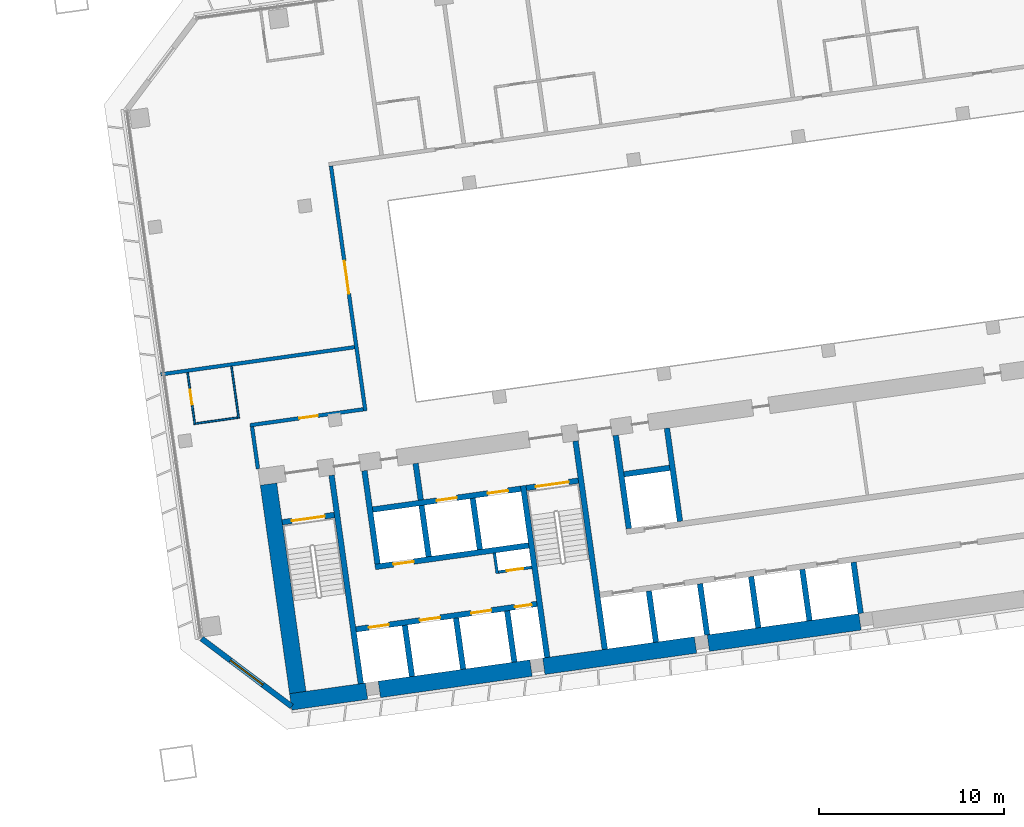
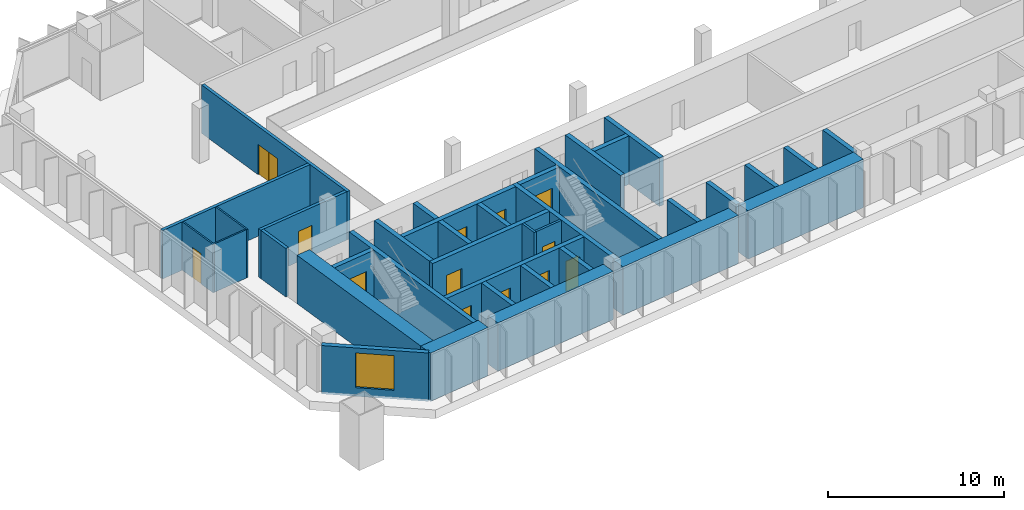
# One storey, part 18 of 24: 38 walls, 13 doors, 1 window, 14 openings.
"""IFC4 building model written with IfcOpenShell, lengths in metres."""

from ifc_helpers import new_model, si_unit, direction, frame, frame_2d, origin, place, context, subcontext, project, spatial, rectangle, extrude, material, layer, layer_set, type_object, element, fill, save


model = new_model("IFC4")

# Units and contexts
model_context = context("Model", 3, precision=1e-05, world=origin(), true_north=direction((0.0, 1.0)))
body_context = subcontext(model_context, "Body", "Model", "MODEL_VIEW")
ifc_project = project(units=[si_unit("LENGTHUNIT", "METRE"), si_unit("AREAUNIT", "SQUARE_METRE"), si_unit("VOLUMEUNIT", "CUBIC_METRE"), si_unit("PLANEANGLEUNIT", "RADIAN"), si_unit("MASSUNIT", "GRAM", prefix="KILO")], contexts=[model_context])

# Site, building, storey
site_placement = place(None, origin())
site = spatial("IfcSite", under=ifc_project, at=site_placement, CompositionType="ELEMENT")
building_placement = place(site_placement, origin())
building = spatial("IfcBuilding", under=site, at=building_placement, Name="Mirante Cascada Hotel Towers", CompositionType="ELEMENT")
storey_placement = place(building_placement, frame((0.0, 0.0, 81.3)))
storey = spatial("IfcBuildingStorey", under=building, at=storey_placement, Name="L17", CompositionType="ELEMENT", Elevation=81.3)

# Wall, opening, door
ifc_material_1 = material(Name="Fire-rated plasterboard on metal studs")
ifc_layer_1 = layer(ifc_material_1, 0.2)
ifc_layer_set_1 = layer_set([ifc_layer_1], Name="Compartment wall 200 EI 120")
wall_type_1 = type_object("IfcWallType", Name="Compartment wall 200 EI 120", PredefinedType="PARTITIONING", material=ifc_layer_set_1)
wall_1_placement = place(storey_placement, frame((40.97, -3.8917, 0.0), z_axis=(0.0, 0.0, 1.0), x_axis=(-0.9902695, -0.1391629, 0.0)))
wall_1 = element("IfcWall", 1, at=wall_1_placement, inside=storey, type_object=wall_type_1, Name="Wall 2-L17-03", PredefinedType="PARTITIONING", context=body_context, shape_type="SweptSolid", body=[
    extrude(rectangle(XDim=6.1999, YDim=0.2, at=frame_2d((3.1, 0.0))), origin(), (0.0, 0.0, 1.0), 3.35),
])
opening_1_placement = place(wall_1_placement, frame((2.5, 0.0, 0.0)))
opening_1 = element("IfcOpeningElement", 2, at=opening_1_placement, cuts=wall_1, Name="Opening D2-L17-04", PredefinedType="OPENING", context=body_context, shape_type="SweptSolid", body=[
    extrude(rectangle(XDim=1.0, YDim=2.1, at=frame_2d((0.5, 1.05))), frame((0.0, 0.1, 0.0), z_axis=(0.0, -1.0, 0.0), x_axis=(1.0, 0.0, 0.0)), (0.0, 0.0, 1.0), 0.2),
])
ifc_material_2 = material(Name="Fire-rated timber door leaf", Category="wood")
door_type_1 = type_object("IfcDoorType", Name="Entrance door DG1 1000x2100 EI 60", OperationType="SINGLE_SWING_LEFT", PredefinedType="DOOR", material=ifc_material_2)
door_1_placement = place(opening_1_placement, origin())
door_1 = element("IfcDoor", 3, at=door_1_placement, inside=storey, type_object=door_type_1, Name="Door D2-L17-04", OperationType="SINGLE_SWING_LEFT", OverallHeight=2.1, OverallWidth=1.0, PredefinedType="DOOR", context=body_context, shape_type="SweptSolid", body=[
    extrude(rectangle(XDim=1.0, YDim=2.1, at=frame_2d((0.5, 1.05))), frame((0.0, 0.025, 0.0), z_axis=(0.0, -1.0, 0.0), x_axis=(1.0, 0.0, 0.0)), (0.0, 0.0, 1.0), 0.05),
])
fill(opening_1, door_1)

# Walls
wall_2_placement = place(storey_placement, frame((40.4968, -0.5248, 0.0), z_axis=(0.0, 0.0, 1.0), x_axis=(-0.9902684, -0.1391704, 0.0)))
element("IfcWall", 4, at=wall_2_placement, inside=storey, type_object=wall_type_1, Name="Wall 2-L17-07", PredefinedType="PARTITIONING", context=body_context, shape_type="SweptSolid", body=[
    extrude(rectangle(XDim=10.6, YDim=0.2, at=frame_2d((5.3, 0.0))), origin(), (0.0, 0.0, 1.0), 3.35),
])
wall_3_placement = place(storey_placement, frame((35.2634, -7.1173, 0.0), z_axis=(0.0, 0.0, 1.0), x_axis=(-0.1391749, 0.9902678, 0.0)))
element("IfcWall", 5, at=wall_3_placement, inside=storey, type_object=wall_type_1, Name="Wall 2-L17-22", PredefinedType="PARTITIONING", context=body_context, shape_type="SweptSolid", body=[
    extrude(rectangle(XDim=2.3, YDim=0.2, at=frame_2d((1.15, 0.0))), origin(), (0.0, 0.0, 1.0), 3.35),
])

# Wall, opening, door
wall_4_placement = place(storey_placement, frame((41.083, -3.9768, 0.0), z_axis=(0.0, 0.0, 1.0), x_axis=(-0.1391716, 0.9902683, 0.0)))
wall_4 = element("IfcWall", 6, at=wall_4_placement, inside=storey, type_object=wall_type_1, Name="Wall 2-L17-24", PredefinedType="PARTITIONING", context=body_context, shape_type="SweptSolid", body=[
    extrude(rectangle(XDim=13.4, YDim=0.2, at=frame_2d((6.7, 0.0))), origin(), (0.0, 0.0, 1.0), 3.35),
])
opening_2_placement = place(wall_4_placement, frame((6.4, 0.0, 0.0)))
opening_2 = element("IfcOpeningElement", 7, at=opening_2_placement, cuts=wall_4, Name="Opening D2-L17-24", PredefinedType="OPENING", context=body_context, shape_type="SweptSolid", body=[
    extrude(rectangle(XDim=1.8, YDim=2.1, at=frame_2d((0.9, 1.05))), frame((0.0, 0.1, 0.0), z_axis=(0.0, -1.0, 0.0), x_axis=(1.0, 0.0, 0.0)), (0.0, 0.0, 1.0), 0.2),
])
ifc_material_3 = material(Name="Fire-rated timber door leaf", Category="wood")
door_type_2 = type_object("IfcDoorType", Name="Suite double door DG2 1800x2100 EI 60", OperationType="DOUBLE_DOOR_SINGLE_SWING", PredefinedType="DOOR", material=ifc_material_3)
door_2_placement = place(opening_2_placement, origin())
door_2 = element("IfcDoor", 8, at=door_2_placement, inside=storey, type_object=door_type_2, Name="Door D2-L17-24", OperationType="DOUBLE_DOOR_SINGLE_SWING", OverallHeight=2.1, OverallWidth=1.8, PredefinedType="DOOR", context=body_context, shape_type="SweptSolid", body=[
    extrude(rectangle(XDim=0.895, YDim=2.1, at=frame_2d((0.4475, 1.05))), frame((0.0, 0.025, 0.0), z_axis=(0.0, -1.0, 0.0), x_axis=(1.0, 0.0, 0.0)), (0.0, 0.0, 1.0), 0.05),
    extrude(rectangle(XDim=0.895, YDim=2.1, at=frame_2d((1.3525, 1.05))), frame((0.0, 0.025, 0.0), z_axis=(0.0, -1.0, 0.0), x_axis=(1.0, 0.0, 0.0)), (0.0, 0.0, 1.0), 0.05),
])
fill(opening_2, door_2)

# Wall
ifc_material_4 = material(Name="Masonry block", Category="masonry")
ifc_layer_2 = layer(ifc_material_4, 0.15)
ifc_layer_set_2 = layer_set([ifc_layer_2], Name="Core room partition 150 block EI 30")
wall_type_2 = type_object("IfcWallType", Name="Core room partition 150 block EI 30", PredefinedType="PARTITIONING", material=ifc_layer_set_2)
wall_5_placement = place(storey_placement, frame((48.2295, -12.793, 0.0), z_axis=(0.0, 0.0, 1.0), x_axis=(-0.1391935, 0.9902652, 0.0)))
element("IfcWall", 9, at=wall_5_placement, inside=storey, type_object=wall_type_2, Name="Core wall partition T2 L17 2", PredefinedType="PARTITIONING", context=body_context, shape_type="SweptSolid", body=[
    extrude(rectangle(XDim=1.1251, YDim=0.15, at=frame_2d((0.5626, 0.0))), origin(), (0.0, 0.0, 1.0), 3.35),
])

# Wall, opening, door
wall_6_placement = place(storey_placement, frame((48.2933, -12.7083, 0.0), z_axis=(0.0, 0.0, 1.0), x_axis=(0.990268, 0.1391734, 0.0)))
wall_6 = element("IfcWall", 10, at=wall_6_placement, inside=storey, type_object=wall_type_2, Name="Core wall partition T2 L17 3", PredefinedType="PARTITIONING", context=body_context, shape_type="SweptSolid", body=[
    extrude(rectangle(XDim=1.8251, YDim=0.15, at=frame_2d((0.9126, 0.0))), origin(), (0.0, 0.0, 1.0), 3.35),
])
opening_3_placement = place(wall_6_placement, frame((0.4625, 0.0, 0.0)))
opening_3 = element("IfcOpeningElement", 11, at=opening_3_placement, cuts=wall_6, Name="Opening D2-17-C23", PredefinedType="OPENING", context=body_context, shape_type="SweptSolid", body=[
    extrude(rectangle(XDim=0.9, YDim=2.1, at=frame_2d((0.45, 1.05))), frame((0.0, 0.075, 0.0), z_axis=(0.0, -1.0, 0.0), x_axis=(1.0, 0.0, 0.0)), (0.0, 0.0, 1.0), 0.15),
])
ifc_material_5 = material(Name="Hollow metal fire door leaf")
door_type_3 = type_object("IfcDoorType", Name="Fire door 900x2100 FD60", OperationType="NOTDEFINED", PredefinedType="DOOR", material=ifc_material_5)
door_3_placement = place(opening_3_placement, frame((0.9, 0.0, 0.0), z_axis=(0.0, 0.0, 1.0), x_axis=(-1.0, 0.0, 0.0)))
door_3 = element("IfcDoor", 12, at=door_3_placement, inside=storey, type_object=door_type_3, Name="Riser door T2 L17 23", OperationType="SINGLE_SWING_RIGHT", OverallHeight=2.1, OverallWidth=0.9, PredefinedType="DOOR", context=body_context, shape_type="SweptSolid", body=[
    extrude(rectangle(XDim=0.9, YDim=2.1, at=frame_2d((0.45, 1.05))), frame((0.0, 0.025, 0.0), z_axis=(0.0, -1.0, 0.0), x_axis=(1.0, 0.0, 0.0)), (0.0, 0.0, 1.0), 0.05),
])
fill(opening_3, door_3)

# Walls
ifc_material_6 = material(Name="Masonry block", Category="masonry")
ifc_layer_3 = layer(ifc_material_6, 0.3)
ifc_layer_set_3 = layer_set([ifc_layer_3], Name="Core wall 300 block EI 120")
wall_type_3 = type_object("IfcWallType", Name="Core wall 300 block EI 120", PredefinedType="PARTITIONING", material=ifc_layer_set_3)
wall_7_placement = place(storey_placement, frame((44.0843, -8.8061, 0.0), z_axis=(0.0, 0.0, 1.0), x_axis=(-0.1391951, 0.990265, 0.0)))
element("IfcWall", 13, at=wall_7_placement, inside=storey, type_object=wall_type_3, Name="Core wall partition T2 L17 1", PredefinedType="PARTITIONING", context=body_context, shape_type="SweptSolid", body=[
    extrude(rectangle(XDim=2.0001, YDim=0.3, at=frame_2d((1.0001, 0.0))), origin(), (0.0, 0.0, 1.0), 3.35),
])
ifc_material_7 = material(Name="Plasterboard on metal studs")
ifc_layer_4 = layer(ifc_material_7, 0.1)
ifc_layer_set_4 = layer_set([ifc_layer_4], Name="Partition 100")
wall_type_4 = type_object("IfcWallType", Name="Partition 100", PredefinedType="PARTITIONING", material=ifc_layer_set_4)
wall_8_placement = place(storey_placement, frame((31.889, -4.663, 0.0), z_axis=(0.0, 0.0, 1.0), x_axis=(0.9902678, 0.1391749, 0.0)))
element("IfcWall", 14, at=wall_8_placement, inside=storey, type_object=wall_type_4, Name="Wall 2-L17-04", PredefinedType="PARTITIONING", context=body_context, shape_type="SweptSolid", body=[
    extrude(rectangle(XDim=2.3, YDim=0.1, at=frame_2d((1.15, 0.0))), origin(), (0.0, 0.0, 1.0), 3.35),
])

# Wall, opening, door
wall_9_placement = place(storey_placement, frame((31.8464, -4.7195, 0.0), z_axis=(0.0, 0.0, 1.0), x_axis=(-0.1391564, 0.9902704, 0.0)))
wall_9 = element("IfcWall", 15, at=wall_9_placement, inside=storey, type_object=wall_type_4, Name="Wall 2-L17-20", PredefinedType="PARTITIONING", context=body_context, shape_type="SweptSolid", body=[
    extrude(rectangle(XDim=2.85, YDim=0.1, at=frame_2d((1.425, 0.0))), origin(), (0.0, 0.0, 1.0), 3.35),
])
opening_4_placement = place(wall_9_placement, frame((1.1, 0.0, 0.0)))
opening_4 = element("IfcOpeningElement", 16, at=opening_4_placement, cuts=wall_9, Name="Opening D2-L17-22", PredefinedType="OPENING", context=body_context, shape_type="SweptSolid", body=[
    extrude(rectangle(XDim=0.8, YDim=2.1, at=frame_2d((0.4, 1.05))), frame((0.0, 0.05, 0.0), z_axis=(0.0, -1.0, 0.0), x_axis=(1.0, 0.0, 0.0)), (0.0, 0.0, 1.0), 0.1),
])
ifc_material_8 = material(Name="Timber door leaf", Category="wood")
door_type_4 = type_object("IfcDoorType", Name="Bathroom door DG4 800x2100", OperationType="SINGLE_SWING_LEFT", PredefinedType="DOOR", material=ifc_material_8)
door_4_placement = place(opening_4_placement, frame((0.8, 0.0, 0.0), z_axis=(0.0, 0.0, 1.0), x_axis=(-1.0, 0.0, 0.0)))
door_4 = element("IfcDoor", 17, at=door_4_placement, inside=storey, type_object=door_type_4, Name="Door D2-L17-22", OperationType="SINGLE_SWING_RIGHT", OverallHeight=2.1, OverallWidth=0.8, PredefinedType="DOOR", context=body_context, shape_type="SweptSolid", body=[
    extrude(rectangle(XDim=0.8, YDim=2.1, at=frame_2d((0.4, 1.05))), frame((0.0, 0.025, 0.0), z_axis=(0.0, -1.0, 0.0), x_axis=(1.0, 0.0, 0.0)), (0.0, 0.0, 1.0), 0.05),
])
fill(opening_4, door_4)

# Wall
wall_10_placement = place(storey_placement, frame((33.8264, -1.5632, 0.0), z_axis=(0.0, 0.0, 1.0), x_axis=(0.1391909, -0.9902656, 0.0)))
element("IfcWall", 18, at=wall_10_placement, inside=storey, type_object=wall_type_4, Name="Wall 2-L17-21", PredefinedType="PARTITIONING", context=body_context, shape_type="SweptSolid", body=[
    extrude(rectangle(XDim=2.85, YDim=0.1, at=frame_2d((1.425, 0.0))), origin(), (0.0, 0.0, 1.0), 3.35),
])

# Wall, opening, window
ifc_material_9 = material(Name="Precast concrete C40/50", Category="concrete")
ifc_layer_5 = layer(ifc_material_9, 0.3)
ifc_layer_set_5 = layer_set([ifc_layer_5], Name="Precast concrete C40/50 cladding wall 300")
wall_type_5 = type_object("IfcWallType", Name="Precast concrete C40/50 cladding wall 300", PredefinedType="STANDARD", material=ifc_layer_set_5)
wall_11_placement = place(storey_placement, frame((32.2074, -16.3138, 0.0), z_axis=(0.0, 0.0, 1.0), x_axis=(0.7986362, -0.6018141, 0.0)))
wall_11 = element("IfcWall", 19, at=wall_11_placement, inside=storey, type_object=wall_type_5, Name="Corner cladding wall T2 L17 inner rear", PredefinedType="STANDARD", context=body_context, shape_type="SweptSolid", body=[
    extrude(rectangle(XDim=6.1157, YDim=0.3, at=frame_2d((3.0578, 0.0))), origin(), (0.0, 0.0, 1.0), 3.35),
])
opening_5_placement = place(wall_11_placement, frame((1.9578, 0.0, 0.6)))
opening_5 = element("IfcOpeningElement", 20, at=opening_5_placement, cuts=wall_11, Name="Opening W2-17-05", PredefinedType="OPENING", context=body_context, shape_type="SweptSolid", body=[
    extrude(rectangle(XDim=2.2, YDim=2.4, at=frame_2d((1.1, 1.2))), frame((0.0, 0.15, 0.0), z_axis=(0.0, -1.0, 0.0), x_axis=(1.0, 0.0, 0.0)), (0.0, 0.0, 1.0), 0.3),
])
ifc_material_10 = material(Name="Aluminium frame with clear double glazing", Category="aluminium")
window_type = type_object("IfcWindowType", Name="Corner suite window 2200x2400", PartitioningType="DOUBLE_PANEL_VERTICAL", PredefinedType="WINDOW", material=ifc_material_10)
window_placement = place(opening_5_placement, origin())
window = element("IfcWindow", 21, at=window_placement, inside=storey, type_object=window_type, Name="Window W2-17-05", OverallHeight=2.4, OverallWidth=2.2, PartitioningType="SINGLE_PANEL", PredefinedType="WINDOW", context=body_context, shape_type="SweptSolid", body=[
    extrude(rectangle(XDim=2.2, YDim=2.4, at=frame_2d((1.1, 1.2))), frame((0.0, 0.03, 0.0), z_axis=(0.0, -1.0, 0.0), x_axis=(1.0, 0.0, 0.0)), (0.0, 0.0, 1.0), 0.06),
])
fill(opening_5, window)

# Walls
ifc_material_11 = material(Name="Concrete C50/60", Category="concrete")
ifc_layer_6 = layer(ifc_material_11, 0.3)
ifc_layer_set_6 = layer_set([ifc_layer_6], Name="RC core wall 300 C50/60")
wall_type_6 = type_object("IfcWallType", Name="RC core wall 300 C50/60", PredefinedType="SHEAR", material=ifc_layer_set_6)
wall_12_placement = place(storey_placement, frame((40.8373, -18.7548, 0.0), z_axis=(0.0, 0.0, 1.0), x_axis=(-0.1391749, 0.9902678, 0.0)))
element("IfcWall", 22, at=wall_12_placement, inside=storey, type_object=wall_type_6, Name="Core wall T2:L17:5", PredefinedType="SHEAR", context=body_context, shape_type="SweptSolid", body=[
    extrude(rectangle(XDim=11.4, YDim=0.3, at=frame_2d((5.7, 0.0))), origin(), (0.0, 0.0, 1.0), 3.35),
])
wall_13_placement = place(storey_placement, frame((50.938, -17.3352, 0.0), z_axis=(0.0, 0.0, 1.0), x_axis=(-0.1391706, 0.9902684, 0.0)))
element("IfcWall", 23, at=wall_13_placement, inside=storey, type_object=wall_type_6, Name="Core wall T2:L17:6", PredefinedType="SHEAR", context=body_context, shape_type="SweptSolid", body=[
    extrude(rectangle(XDim=9.4, YDim=0.3, at=frame_2d((4.7, 0.0))), origin(), (0.0, 0.0, 1.0), 3.35),
])
wall_14_placement = place(storey_placement, frame((54.0574, -16.8968, 0.0), z_axis=(0.0, 0.0, 1.0), x_axis=(-0.1391761, 0.9902677, 0.0)))
element("IfcWall", 24, at=wall_14_placement, inside=storey, type_object=wall_type_6, Name="Core wall T2:L17:7", PredefinedType="SHEAR", context=body_context, shape_type="SweptSolid", body=[
    extrude(rectangle(XDim=11.3999, YDim=0.3, at=frame_2d((5.7, 0.0))), origin(), (0.0, 0.0, 1.0), 3.35),
])

# Wall, opening, door
wall_15_placement = place(storey_placement, frame((36.5791, -10.0123, 0.0), z_axis=(0.0, 0.0, 1.0), x_axis=(0.9902704, 0.1391564, 0.0)))
wall_15 = element("IfcWall", 25, at=wall_15_placement, inside=storey, type_object=wall_type_6, Name="Core wall T2:L17:9", PredefinedType="SHEAR", context=body_context, shape_type="SweptSolid", body=[
    extrude(rectangle(XDim=2.85, YDim=0.3, at=frame_2d((1.425, 0.0))), origin(), (0.0, 0.0, 1.0), 3.35),
])
opening_6_placement = place(wall_15_placement, frame((0.525, 0.0, 0.0)))
opening_6 = element("IfcOpeningElement", 26, at=opening_6_placement, cuts=wall_15, Name="Opening D2-17-C13", PredefinedType="OPENING", context=body_context, shape_type="SweptSolid", body=[
    extrude(rectangle(XDim=1.8, YDim=2.1, at=frame_2d((0.9, 1.05))), frame((0.0, 0.15, 0.0), z_axis=(0.0, -1.0, 0.0), x_axis=(1.0, 0.0, 0.0)), (0.0, 0.0, 1.0), 0.3),
])
ifc_material_12 = material(Name="Hollow metal fire door leaf")
door_type_5 = type_object("IfcDoorType", Name="Double fire door 1800x2100 FD60", OperationType="DOUBLE_DOOR_SINGLE_SWING", PredefinedType="DOOR", material=ifc_material_12)
door_5_placement = place(opening_6_placement, frame((1.8, 0.0, 0.0), z_axis=(0.0, 0.0, 1.0), x_axis=(-1.0, 0.0, 0.0)))
door_5 = element("IfcDoor", 27, at=door_5_placement, inside=storey, type_object=door_type_5, Name="Stair door T2 L17 13", OperationType="DOUBLE_DOOR_SINGLE_SWING", OverallHeight=2.1, OverallWidth=1.8, PredefinedType="DOOR", context=body_context, shape_type="SweptSolid", body=[
    extrude(rectangle(XDim=0.895, YDim=2.1, at=frame_2d((0.4475, 1.05))), frame((0.0, 0.025, 0.0), z_axis=(0.0, -1.0, 0.0), x_axis=(1.0, 0.0, 0.0)), (0.0, 0.0, 1.0), 0.05),
    extrude(rectangle(XDim=0.895, YDim=2.1, at=frame_2d((1.3525, 1.05))), frame((0.0, 0.025, 0.0), z_axis=(0.0, -1.0, 0.0), x_axis=(1.0, 0.0, 0.0)), (0.0, 0.0, 1.0), 0.05),
])
fill(opening_6, door_5)

wall_16_placement = place(storey_placement, frame((49.7992, -8.1544, 0.0), z_axis=(0.0, 0.0, 1.0), x_axis=(0.9902656, 0.1391909, 0.0)))
wall_16 = element("IfcWall", 28, at=wall_16_placement, inside=storey, type_object=wall_type_6, Name="Core wall T2:L17:10", PredefinedType="SHEAR", context=body_context, shape_type="SweptSolid", body=[
    extrude(rectangle(XDim=2.85, YDim=0.3, at=frame_2d((1.425, 0.0))), origin(), (0.0, 0.0, 1.0), 3.35),
])
opening_7_placement = place(wall_16_placement, frame((0.525, 0.0, 0.0)))
opening_7 = element("IfcOpeningElement", 29, at=opening_7_placement, cuts=wall_16, Name="Opening D2-17-C15", PredefinedType="OPENING", context=body_context, shape_type="SweptSolid", body=[
    extrude(rectangle(XDim=1.8, YDim=2.1, at=frame_2d((0.9, 1.05))), frame((0.0, 0.15, 0.0), z_axis=(0.0, -1.0, 0.0), x_axis=(1.0, 0.0, 0.0)), (0.0, 0.0, 1.0), 0.3),
])
door_6_placement = place(opening_7_placement, frame((1.8, 0.0, 0.0), z_axis=(0.0, 0.0, 1.0), x_axis=(-1.0, 0.0, 0.0)))
door_6 = element("IfcDoor", 30, at=door_6_placement, inside=storey, type_object=door_type_5, Name="Stair door T2 L17 15", OperationType="DOUBLE_DOOR_SINGLE_SWING", OverallHeight=2.1, OverallWidth=1.8, PredefinedType="DOOR", context=body_context, shape_type="SweptSolid", body=[
    extrude(rectangle(XDim=0.895, YDim=2.1, at=frame_2d((0.4475, 1.05))), frame((0.0, 0.025, 0.0), z_axis=(0.0, -1.0, 0.0), x_axis=(1.0, 0.0, 0.0)), (0.0, 0.0, 1.0), 0.05),
    extrude(rectangle(XDim=0.895, YDim=2.1, at=frame_2d((1.3525, 1.05))), frame((0.0, 0.025, 0.0), z_axis=(0.0, -1.0, 0.0), x_axis=(1.0, 0.0, 0.0)), (0.0, 0.0, 1.0), 0.05),
])
fill(opening_7, door_6)

# Wall, openings, doors
wall_17_placement = place(storey_placement, frame((40.5753, -15.8126, 0.0), z_axis=(0.0, 0.0, 1.0), x_axis=(0.9902682, 0.1391725, 0.0)))
wall_17 = element("IfcWall", 31, at=wall_17_placement, inside=storey, type_object=wall_type_6, Name="Core wall T2:L17:12", PredefinedType="SHEAR", context=body_context, shape_type="SweptSolid", body=[
    extrude(rectangle(XDim=9.8999, YDim=0.3, at=frame_2d((4.95, 0.0))), origin(), (0.0, 0.0, 1.0), 3.35),
])
opening_8_placement = place(wall_17_placement, frame((0.7, 0.0, 0.0)))
opening_8 = element("IfcOpeningElement", 32, at=opening_8_placement, cuts=wall_17, Name="Opening LD", PredefinedType="OPENING", context=body_context, shape_type="SweptSolid", body=[
    extrude(rectangle(XDim=1.1, YDim=2.1, at=frame_2d((0.55, 1.05))), frame((0.0, 0.15, 0.0), z_axis=(0.0, -1.0, 0.0), x_axis=(1.0, 0.0, 0.0)), (0.0, 0.0, 1.0), 0.3),
])
opening_9_placement = place(wall_17_placement, frame((3.5, 0.0, 0.0)))
opening_9 = element("IfcOpeningElement", 33, at=opening_9_placement, cuts=wall_17, Name="Opening LD", PredefinedType="OPENING", context=body_context, shape_type="SweptSolid", body=[
    extrude(rectangle(XDim=1.1, YDim=2.1, at=frame_2d((0.55, 1.05))), frame((0.0, 0.15, 0.0), z_axis=(0.0, -1.0, 0.0), x_axis=(1.0, 0.0, 0.0)), (0.0, 0.0, 1.0), 0.3),
])
opening_10_placement = place(wall_17_placement, frame((6.3, 0.0, 0.0)))
opening_10 = element("IfcOpeningElement", 34, at=opening_10_placement, cuts=wall_17, Name="Opening LD", PredefinedType="OPENING", context=body_context, shape_type="SweptSolid", body=[
    extrude(rectangle(XDim=1.1, YDim=2.1, at=frame_2d((0.55, 1.05))), frame((0.0, 0.15, 0.0), z_axis=(0.0, -1.0, 0.0), x_axis=(1.0, 0.0, 0.0)), (0.0, 0.0, 1.0), 0.3),
])
opening_11_placement = place(wall_17_placement, frame((8.7, 0.0, 0.0)))
opening_11 = element("IfcOpeningElement", 35, at=opening_11_placement, cuts=wall_17, Name="Opening D2-17-C22", PredefinedType="OPENING", context=body_context, shape_type="SweptSolid", body=[
    extrude(rectangle(XDim=0.9, YDim=2.1, at=frame_2d((0.45, 1.05))), frame((0.0, 0.15, 0.0), z_axis=(0.0, -1.0, 0.0), x_axis=(1.0, 0.0, 0.0)), (0.0, 0.0, 1.0), 0.3),
])
door_7_placement = place(opening_11_placement, frame((0.9, 0.0, 0.0), z_axis=(0.0, 0.0, 1.0), x_axis=(-1.0, 0.0, 0.0)))
door_7 = element("IfcDoor", 36, at=door_7_placement, inside=storey, type_object=door_type_3, Name="Riser door T2 L17 22", OperationType="SINGLE_SWING_RIGHT", OverallHeight=2.1, OverallWidth=0.9, PredefinedType="DOOR", context=body_context, shape_type="SweptSolid", body=[
    extrude(rectangle(XDim=0.9, YDim=2.1, at=frame_2d((0.45, 1.05))), frame((0.0, 0.025, 0.0), z_axis=(0.0, -1.0, 0.0), x_axis=(1.0, 0.0, 0.0)), (0.0, 0.0, 1.0), 0.05),
])
fill(opening_11, door_7)
ifc_material_13 = material(Name="Stainless steel", Category="steel")
door_type_6 = type_object("IfcDoorType", Name="Lift landing door 1100x2100 EI 120", OperationType="DOUBLE_DOOR_SLIDING", PredefinedType="DOOR", material=ifc_material_13)
door_8_placement = place(opening_8_placement, origin())
door_8 = element("IfcDoor", 37, at=door_8_placement, inside=storey, type_object=door_type_6, Name="Lift landing door HR2-1 L17", OperationType="DOUBLE_DOOR_SLIDING", OverallHeight=2.1, OverallWidth=1.1, PredefinedType="DOOR", context=body_context, shape_type="SweptSolid", body=[
    extrude(rectangle(XDim=0.545, YDim=2.1, at=frame_2d((0.2725, 1.05))), frame((0.0, 0.025, 0.0), z_axis=(0.0, -1.0, 0.0), x_axis=(1.0, 0.0, 0.0)), (0.0, 0.0, 1.0), 0.05),
    extrude(rectangle(XDim=0.545, YDim=2.1, at=frame_2d((0.8275, 1.05))), frame((0.0, 0.025, 0.0), z_axis=(0.0, -1.0, 0.0), x_axis=(1.0, 0.0, 0.0)), (0.0, 0.0, 1.0), 0.05),
])
fill(opening_8, door_8)
door_9_placement = place(opening_9_placement, origin())
door_9 = element("IfcDoor", 38, at=door_9_placement, inside=storey, type_object=door_type_6, Name="Lift landing door HR2-2 L17", OperationType="DOUBLE_DOOR_SLIDING", OverallHeight=2.1, OverallWidth=1.1, PredefinedType="DOOR", context=body_context, shape_type="SweptSolid", body=[
    extrude(rectangle(XDim=0.545, YDim=2.1, at=frame_2d((0.2725, 1.05))), frame((0.0, 0.025, 0.0), z_axis=(0.0, -1.0, 0.0), x_axis=(1.0, 0.0, 0.0)), (0.0, 0.0, 1.0), 0.05),
    extrude(rectangle(XDim=0.545, YDim=2.1, at=frame_2d((0.8275, 1.05))), frame((0.0, 0.025, 0.0), z_axis=(0.0, -1.0, 0.0), x_axis=(1.0, 0.0, 0.0)), (0.0, 0.0, 1.0), 0.05),
])
fill(opening_9, door_9)
door_10_placement = place(opening_10_placement, origin())
door_10 = element("IfcDoor", 39, at=door_10_placement, inside=storey, type_object=door_type_6, Name="Lift landing door HR2-3 L17", OperationType="DOUBLE_DOOR_SLIDING", OverallHeight=2.1, OverallWidth=1.1, PredefinedType="DOOR", context=body_context, shape_type="SweptSolid", body=[
    extrude(rectangle(XDim=0.545, YDim=2.1, at=frame_2d((0.2725, 1.05))), frame((0.0, 0.025, 0.0), z_axis=(0.0, -1.0, 0.0), x_axis=(1.0, 0.0, 0.0)), (0.0, 0.0, 1.0), 0.05),
    extrude(rectangle(XDim=0.545, YDim=2.1, at=frame_2d((0.8275, 1.05))), frame((0.0, 0.025, 0.0), z_axis=(0.0, -1.0, 0.0), x_axis=(1.0, 0.0, 0.0)), (0.0, 0.0, 1.0), 0.05),
])
fill(opening_10, door_10)

# Wall, opening, door
wall_18_placement = place(storey_placement, frame((41.6153, -12.435, 0.0), z_axis=(0.0, 0.0, 1.0), x_axis=(0.9902691, 0.139166, 0.0)))
wall_18 = element("IfcWall", 40, at=wall_18_placement, inside=storey, type_object=wall_type_6, Name="Core wall T2:L17:13", PredefinedType="SHEAR", context=body_context, shape_type="SweptSolid", body=[
    extrude(rectangle(XDim=8.4, YDim=0.3, at=frame_2d((4.2, 0.0))), origin(), (0.0, 0.0, 1.0), 3.35),
])
opening_12_placement = place(wall_18_placement, frame((1.0, 0.0, 0.0)))
opening_12 = element("IfcOpeningElement", 41, at=opening_12_placement, cuts=wall_18, Name="Opening LD", PredefinedType="OPENING", context=body_context, shape_type="SweptSolid", body=[
    extrude(rectangle(XDim=1.1, YDim=2.1, at=frame_2d((0.55, 1.05))), frame((0.0, 0.15, 0.0), z_axis=(0.0, -1.0, 0.0), x_axis=(1.0, 0.0, 0.0)), (0.0, 0.0, 1.0), 0.3),
])
door_11_placement = place(opening_12_placement, origin())
door_11 = element("IfcDoor", 42, at=door_11_placement, inside=storey, type_object=door_type_6, Name="Lift landing door HR2-4 L17", OperationType="DOUBLE_DOOR_SLIDING", OverallHeight=2.1, OverallWidth=1.1, PredefinedType="DOOR", context=body_context, shape_type="SweptSolid", body=[
    extrude(rectangle(XDim=0.545, YDim=2.1, at=frame_2d((0.2725, 1.05))), frame((0.0, 0.025, 0.0), z_axis=(0.0, -1.0, 0.0), x_axis=(1.0, 0.0, 0.0)), (0.0, 0.0, 1.0), 0.05),
    extrude(rectangle(XDim=0.545, YDim=2.1, at=frame_2d((0.8275, 1.05))), frame((0.0, 0.025, 0.0), z_axis=(0.0, -1.0, 0.0), x_axis=(1.0, 0.0, 0.0)), (0.0, 0.0, 1.0), 0.05),
])
fill(opening_12, door_11)

# Wall, openings, doors
wall_19_placement = place(storey_placement, frame((41.481, -9.3234, 0.0), z_axis=(0.0, 0.0, 1.0), x_axis=(0.9902679, 0.1391741, 0.0)))
wall_19 = element("IfcWall", 43, at=wall_19_placement, inside=storey, type_object=wall_type_6, Name="Core wall T2:L17:14", PredefinedType="SHEAR", context=body_context, shape_type="SweptSolid", body=[
    extrude(rectangle(XDim=8.0999, YDim=0.3, at=frame_2d((4.05, 0.0))), origin(), (0.0, 0.0, 1.0), 3.35),
])
opening_13_placement = place(wall_19_placement, frame((3.5, 0.0, 0.0)))
opening_13 = element("IfcOpeningElement", 44, at=opening_13_placement, cuts=wall_19, Name="Opening LD", PredefinedType="OPENING", context=body_context, shape_type="SweptSolid", body=[
    extrude(rectangle(XDim=1.1, YDim=2.1, at=frame_2d((0.55, 1.05))), frame((0.0, 0.15, 0.0), z_axis=(0.0, -1.0, 0.0), x_axis=(1.0, 0.0, 0.0)), (0.0, 0.0, 1.0), 0.3),
])
opening_14_placement = place(wall_19_placement, frame((6.3, 0.0, 0.0)))
opening_14 = element("IfcOpeningElement", 45, at=opening_14_placement, cuts=wall_19, Name="Opening LD", PredefinedType="OPENING", context=body_context, shape_type="SweptSolid", body=[
    extrude(rectangle(XDim=1.1, YDim=2.1, at=frame_2d((0.55, 1.05))), frame((0.0, 0.15, 0.0), z_axis=(0.0, -1.0, 0.0), x_axis=(1.0, 0.0, 0.0)), (0.0, 0.0, 1.0), 0.3),
])
door_12_placement = place(opening_13_placement, origin())
door_12 = element("IfcDoor", 46, at=door_12_placement, inside=storey, type_object=door_type_6, Name="Lift landing door FF3 L17", OperationType="DOUBLE_DOOR_SLIDING", OverallHeight=2.1, OverallWidth=1.1, PredefinedType="DOOR", context=body_context, shape_type="SweptSolid", body=[
    extrude(rectangle(XDim=0.545, YDim=2.1, at=frame_2d((0.2725, 1.05))), frame((0.0, 0.025, 0.0), z_axis=(0.0, -1.0, 0.0), x_axis=(1.0, 0.0, 0.0)), (0.0, 0.0, 1.0), 0.05),
    extrude(rectangle(XDim=0.545, YDim=2.1, at=frame_2d((0.8275, 1.05))), frame((0.0, 0.025, 0.0), z_axis=(0.0, -1.0, 0.0), x_axis=(1.0, 0.0, 0.0)), (0.0, 0.0, 1.0), 0.05),
])
fill(opening_13, door_12)
door_13_placement = place(opening_14_placement, origin())
door_13 = element("IfcDoor", 47, at=door_13_placement, inside=storey, type_object=door_type_6, Name="Lift landing door FF4 L17", OperationType="DOUBLE_DOOR_SLIDING", OverallHeight=2.1, OverallWidth=1.1, PredefinedType="DOOR", context=body_context, shape_type="SweptSolid", body=[
    extrude(rectangle(XDim=0.545, YDim=2.1, at=frame_2d((0.2725, 1.05))), frame((0.0, 0.025, 0.0), z_axis=(0.0, -1.0, 0.0), x_axis=(1.0, 0.0, 0.0)), (0.0, 0.0, 1.0), 0.05),
    extrude(rectangle(XDim=0.545, YDim=2.1, at=frame_2d((0.8275, 1.05))), frame((0.0, 0.025, 0.0), z_axis=(0.0, -1.0, 0.0), x_axis=(1.0, 0.0, 0.0)), (0.0, 0.0, 1.0), 0.05),
])
fill(opening_14, door_13)

# Walls
wall_20_placement = place(storey_placement, frame((43.61, -18.3651, 0.0), z_axis=(0.0, 0.0, 1.0), x_axis=(-0.1391459, 0.9902719, 0.0)))
element("IfcWall", 48, at=wall_20_placement, inside=storey, type_object=wall_type_6, Name="Core wall T2:L17:15", PredefinedType="SHEAR", context=body_context, shape_type="SweptSolid", body=[
    extrude(rectangle(XDim=2.7999, YDim=0.3, at=frame_2d((1.4, 0.0))), origin(), (0.0, 0.0, 1.0), 3.35),
])
wall_21_placement = place(storey_placement, frame((46.3828, -17.9754, 0.0), z_axis=(0.0, 0.0, 1.0), x_axis=(-0.139181, 0.990267, 0.0)))
element("IfcWall", 49, at=wall_21_placement, inside=storey, type_object=wall_type_6, Name="Core wall T2:L17:16", PredefinedType="SHEAR", context=body_context, shape_type="SweptSolid", body=[
    extrude(rectangle(XDim=2.8, YDim=0.3, at=frame_2d((1.4, 0.0))), origin(), (0.0, 0.0, 1.0), 3.35),
])
wall_22_placement = place(storey_placement, frame((49.1555, -17.5857, 0.0), z_axis=(0.0, 0.0, 1.0), x_axis=(-0.1391459, 0.9902719, 0.0)))
element("IfcWall", 50, at=wall_22_placement, inside=storey, type_object=wall_type_6, Name="Core wall T2:L17:17", PredefinedType="SHEAR", context=body_context, shape_type="SweptSolid", body=[
    extrude(rectangle(XDim=2.7999, YDim=0.3, at=frame_2d((1.4, 0.0))), origin(), (0.0, 0.0, 1.0), 3.35),
])
for number, where, z_axis, x_axis, name in (
    (51, (44.5157, -11.8759, 0.0), (0.0, 0.0, 1.0), (-0.139181, 0.990267, 0.0), "Core wall T2:L17:18"),
    (52, (47.2885, -11.4862, 0.0), (0.0, 0.0, 1.0), (-0.139181, 0.990267, 0.0), "Core wall T2:L17:19"),
):
    element("IfcWall", number, at=place(storey_placement, frame(where, z_axis=z_axis, x_axis=x_axis)), inside=storey, type_object=wall_type_6, Name=name, PredefinedType="SHEAR", context=body_context, shape_type="SweptSolid", body=[
        extrude(rectangle(XDim=2.8, YDim=0.3, at=frame_2d((1.4, 0.0))), origin(), (0.0, 0.0, 1.0), 3.35),
    ])
wall_23_placement = place(storey_placement, frame((41.743, -12.2656, 0.0), z_axis=(0.0, 0.0, 1.0), x_axis=(-0.1391755, 0.9902677, 0.0)))
element("IfcWall", 53, at=wall_23_placement, inside=storey, type_object=wall_type_6, Name="Core wall T2:L17:20", PredefinedType="SHEAR", context=body_context, shape_type="SweptSolid", body=[
    extrude(rectangle(XDim=5.1, YDim=0.3, at=frame_2d((2.55, 0.0))), origin(), (0.0, 0.0, 1.0), 3.35),
])
for number, where, z_axis, x_axis, name in (
    (54, (56.8301, -16.5072, 0.0), (0.0, 0.0, 1.0), (-0.139176, 0.9902677, 0.0), "Core wall T2:L17:25"),
    (55, (59.6029, -16.1175, 0.0), (0.0, 0.0, 1.0), (-0.139176, 0.9902677, 0.0), "Core wall T2:L17:26"),
    (56, (62.3756, -15.7278, 0.0), (0.0, 0.0, 1.0), (-0.139176, 0.9902677, 0.0), "Core wall T2:L17:27"),
    (57, (65.1484, -15.3381, 0.0), (0.0, 0.0, 1.0), (-0.139176, 0.9902677, 0.0), "Core wall T2:L17:28"),
):
    element("IfcWall", number, at=place(storey_placement, frame(where, z_axis=z_axis, x_axis=x_axis)), inside=storey, type_object=wall_type_6, Name=name, PredefinedType="SHEAR", context=body_context, shape_type="SweptSolid", body=[
        extrude(rectangle(XDim=2.8001, YDim=0.3, at=frame_2d((1.4, 0.0))), origin(), (0.0, 0.0, 1.0), 3.35),
    ])
wall_24_placement = place(storey_placement, frame((67.9211, -14.9484, 0.0), z_axis=(0.0, 0.0, 1.0), x_axis=(-0.139181, 0.990267, 0.0)))
element("IfcWall", 58, at=wall_24_placement, inside=storey, type_object=wall_type_6, Name="Core wall T2:L17:29", PredefinedType="SHEAR", context=body_context, shape_type="SweptSolid", body=[
    extrude(rectangle(XDim=2.8, YDim=0.3, at=frame_2d((1.4, 0.0))), origin(), (0.0, 0.0, 1.0), 3.35),
])
for number, where, z_axis, x_axis, name in (
    (59, (55.3592, -10.352, 0.0), (0.0, 0.0, 1.0), (-0.1391755, 0.9902677, 0.0), "Core wall T2:L17:32"),
    (60, (58.1319, -9.9623, 0.0), (0.0, 0.0, 1.0), (-0.1391755, 0.9902677, 0.0), "Core wall T2:L17:34"),
):
    element("IfcWall", number, at=place(storey_placement, frame(where, z_axis=z_axis, x_axis=x_axis)), inside=storey, type_object=wall_type_6, Name=name, PredefinedType="SHEAR", context=body_context, shape_type="SweptSolid", body=[
        extrude(rectangle(XDim=5.1, YDim=0.3, at=frame_2d((2.55, 0.0))), origin(), (0.0, 0.0, 1.0), 3.35),
    ])
wall_25_placement = place(storey_placement, frame((55.0971, -7.4098, 0.0), z_axis=(0.0, 0.0, 1.0), x_axis=(0.9902701, 0.1391586, 0.0)))
element("IfcWall", 61, at=wall_25_placement, inside=storey, type_object=wall_type_6, Name="Core wall T2:L17:35", PredefinedType="SHEAR", context=body_context, shape_type="SweptSolid", body=[
    extrude(rectangle(XDim=2.5, YDim=0.3, at=frame_2d((1.25, 0.0))), origin(), (0.0, 0.0, 1.0), 3.35),
])
ifc_material_14 = material(Name="Concrete C50/60", Category="concrete")
ifc_layer_7 = layer(ifc_material_14, 0.9)
ifc_layer_set_7 = layer_set([ifc_layer_7], Name="RC core wall 900 C50/60")
wall_type_7 = type_object("IfcWallType", Name="RC core wall 900 C50/60", PredefinedType="SHEAR", material=ifc_layer_set_7)
wall_26_placement = place(storey_placement, frame((37.0379, -19.7432, 0.0), z_axis=(0.0, 0.0, 1.0), x_axis=(0.990267, 0.139181, 0.0)))
element("IfcWall", 62, at=wall_26_placement, inside=storey, type_object=wall_type_7, Name="Core wall T2:L17:1.1", PredefinedType="SHEAR", context=body_context, shape_type="SweptSolid", body=[
    extrude(rectangle(XDim=4.15, YDim=0.9, at=frame_2d((2.075, 0.0))), origin(), (0.0, 0.0, 1.0), 3.35),
])
for number, where, z_axis, x_axis, name in (
    (63, (41.8407, -19.0682, 0.0), (0.0, 0.0, 1.0), (0.9902686, 0.1391692, 0.0), "Core wall T2:L17:1.2"),
    (64, (50.7531, -17.8156, 0.0), (0.0, 0.0, 1.0), (0.9902686, 0.1391692, 0.0), "Core wall T2:L17:1.3"),
    (65, (59.6655, -16.5631, 0.0), (0.0, 0.0, 1.0), (0.9902686, 0.1391692, 0.0), "Core wall T2:L17:1.4"),
):
    element("IfcWall", number, at=place(storey_placement, frame(where, z_axis=z_axis, x_axis=x_axis)), inside=storey, type_object=wall_type_7, Name=name, PredefinedType="SHEAR", context=body_context, shape_type="SweptSolid", body=[
        extrude(rectangle(XDim=8.3, YDim=0.9, at=frame_2d((4.15, 0.0))), origin(), (0.0, 0.0, 1.0), 3.35),
    ])
wall_27_placement = place(storey_placement, frame((37.4209, -19.2349, 0.0), z_axis=(0.0, 0.0, 1.0), x_axis=(-0.1391761, 0.9902677, 0.0)))
element("IfcWall", 66, at=wall_27_placement, inside=storey, type_object=wall_type_7, Name="Core wall T2:L17:3", PredefinedType="SHEAR", context=body_context, shape_type="SweptSolid", body=[
    extrude(rectangle(XDim=11.3999, YDim=0.9, at=frame_2d((5.7, 0.0))), origin(), (0.0, 0.0, 1.0), 3.35),
])

save(model, "model.ifc")
